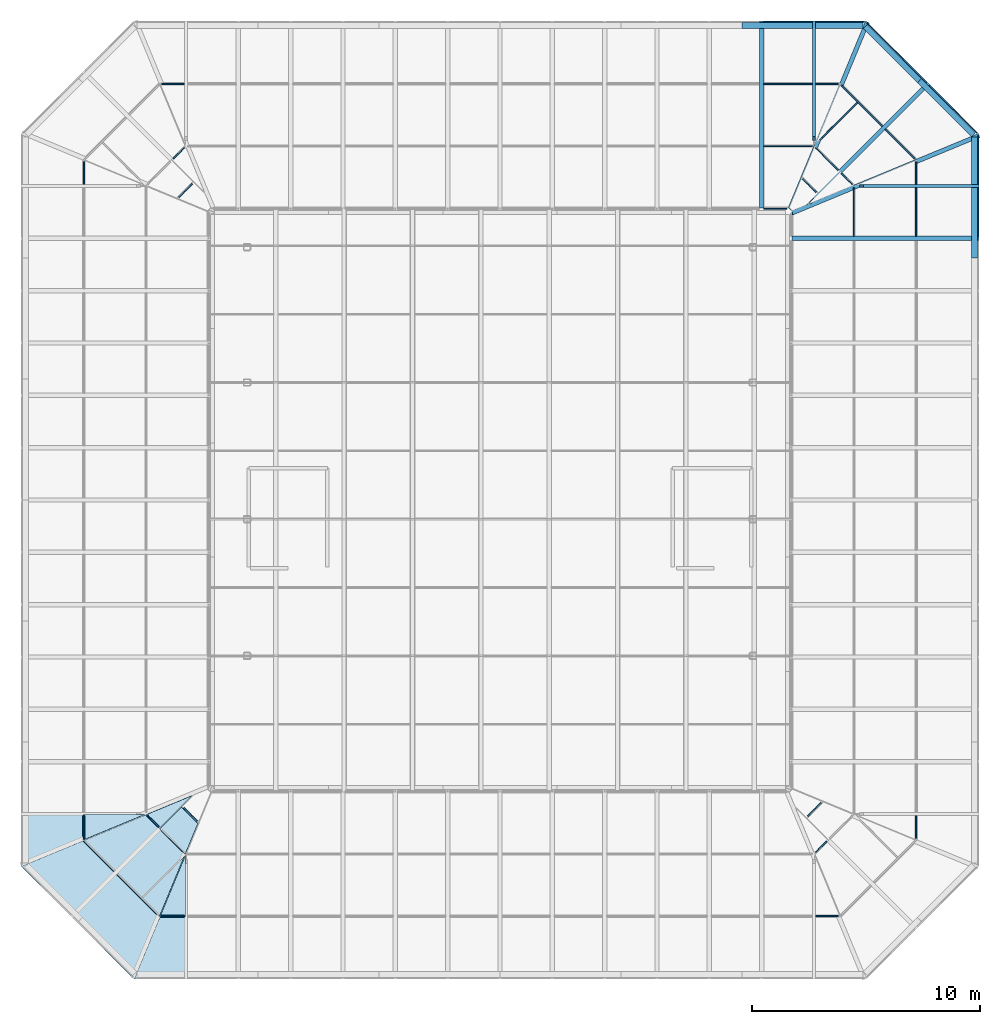
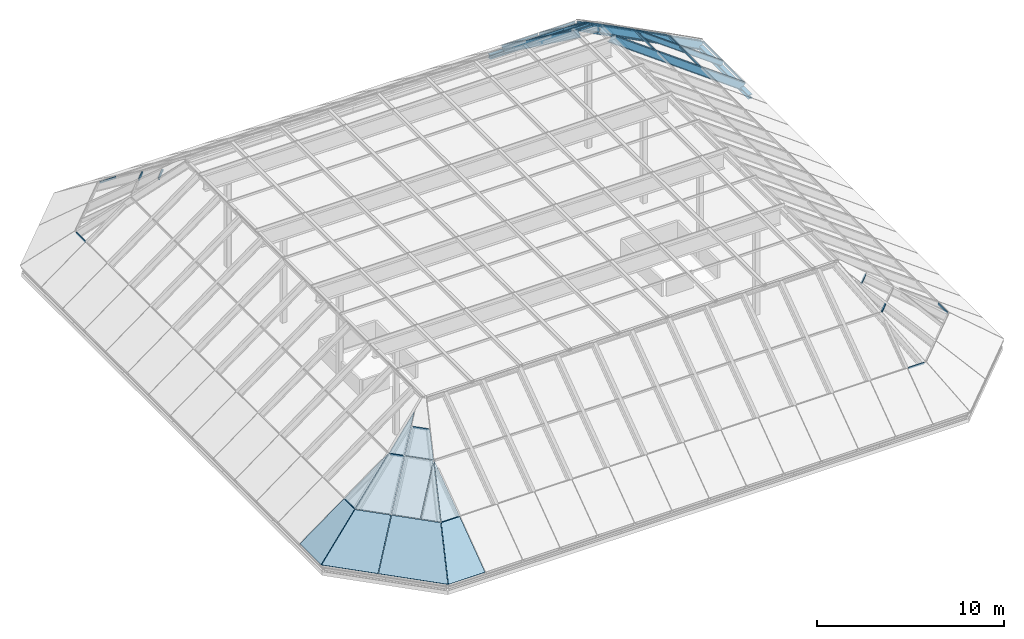
# One storey, part 10 of 15: 42 members, 11 plates, 8 elements without a shape of their own.
"""IFC4 building model written with IfcOpenShell, lengths in metres."""

from ifc_helpers import new_model, si_unit, direction, frame, origin, origin_2d, place, context, subcontext, project, spatial, polyline, rectangle, i_section, outline, extrude, material, layer, layer_set, constituent, constituent_set, material_profile, profile_set, type_object, element, aggregate, save


model = new_model("IFC4")

# Units and contexts
model_context = context("Model", 3, precision=1e-05, world=origin(), true_north=direction((0.0, 1.0)))
body_context = subcontext(model_context, "Body", "Model", "MODEL_VIEW")
ifc_project = project(units=[si_unit("LENGTHUNIT", "METRE"), si_unit("AREAUNIT", "SQUARE_METRE"), si_unit("VOLUMEUNIT", "CUBIC_METRE"), si_unit("PLANEANGLEUNIT", "RADIAN"), si_unit("MASSUNIT", "GRAM", prefix="KILO")], contexts=[model_context])

# Site, building, storey
site_placement = place(None, origin())
site = spatial("IfcSite", under=ifc_project, at=site_placement, CompositionType="ELEMENT")
building_placement = place(site_placement, origin())
building = spatial("IfcBuilding", under=site, at=building_placement, Name="Quoin Convention Tower", CompositionType="ELEMENT")
storey_placement = place(building_placement, frame((0.0, 0.0, 273.699951171875)))
storey = spatial("IfcBuildingStorey", under=building, at=storey_placement, Name="Roof", CompositionType="ELEMENT", Elevation=273.699951171875)

# Members
ifc_material_1 = material(Name="Steel Grade 300", Category="steel")
ifc_material_profile_1 = material_profile(ifc_material_1, i_section(OverallWidth=0.256103515625, OverallDepth=0.260009765625, WebThickness=0.010498046875, FlangeThickness=0.017333984375, FilletRadius=0.013916015625, at=origin_2d()), Name="250UC89.5")
ifc_profile_set_1 = profile_set([ifc_material_profile_1], Name="Steel Grade 300")
member_type_1 = type_object("IfcMemberType", Name="250UC89.5 EAVES RING", PredefinedType="CHORD", material=ifc_profile_set_1)
member_1_placement = place(storey_placement, frame((77.072021484375, 71.37255859375, 0.130126953125), z_axis=(0.0, 1.0, 0.0), x_axis=(-1.0, 0.0, 0.0)))
element("IfcMember", 1, at=member_1_placement, inside=storey, type_object=member_type_1, Name="LANTERN EAVES RING", PredefinedType="CHORD", context=body_context, shape_type="SweptSolid", body=[
    extrude(i_section(OverallWidth=0.256103515625, OverallDepth=0.260009765625, WebThickness=0.010498046875, FlangeThickness=0.017333984375, FilletRadius=0.013916015625, at=origin_2d()), origin(), (0.0, 0.0, 1.0), 5.311279296875),
])
for number, where, z_axis, x_axis, name in (
    (2, (77.034423828125, 76.7744140625, 0.130126953125), (-0.707070512791, 0.707143047722, 0.0), (-0.707143047722, -0.707070512791, 0.0), "LANTERN EAVES RING"),
    (3, (74.654541015625, 79.154541015625, 0.130126953125), (-0.707143047722, 0.707070512791, 0.0), (-0.707070512791, -0.707143047722, 0.0), "LANTERN EAVES RING"),
):
    element("IfcMember", number, at=place(storey_placement, frame(where, z_axis=z_axis, x_axis=x_axis)), inside=storey, type_object=member_type_1, Name=name, PredefinedType="CHORD", context=body_context, shape_type="SweptSolid", body=[
        extrude(i_section(OverallWidth=0.256103515625, OverallDepth=0.260009765625, WebThickness=0.010498046875, FlangeThickness=0.017333984375, FilletRadius=0.013916015625, at=origin_2d()), origin(), (0.0, 0.0, 1.0), 3.36572265625),
    ])
member_2_placement = place(storey_placement, frame((72.183837890625, 81.572021484375, 0.130126953125), z_axis=(-1.0, 0.0, 0.0), x_axis=(0.0, -1.0, 0.0)))
element("IfcMember", 4, at=member_2_placement, inside=storey, type_object=member_type_1, Name="LANTERN EAVES RING", PredefinedType="CHORD", context=body_context, shape_type="SweptSolid", body=[
    extrude(i_section(OverallWidth=0.256103515625, OverallDepth=0.260009765625, WebThickness=0.010498046875, FlangeThickness=0.017333984375, FilletRadius=0.013916015625, at=origin_2d()), origin(), (0.0, 0.0, 1.0), 5.311279296875),
])

# Curtain wall, member
ifc_material_2 = material(Name="Aluminium", Category="aluminium")
ifc_constituent_1 = constituent(ifc_material_2, Name="Frame")
ifc_material_3 = material(Name="Insulated glass", Category="glass")
ifc_constituent_2 = constituent(ifc_material_3, Name="Glazing")
ifc_constituent_set = constituent_set(constituents=[ifc_constituent_1, ifc_constituent_2], Name="Aluminium")
curtain_wall_type = type_object("IfcCurtainWallType", Name="Lantern roof system", PredefinedType="NOTDEFINED", material=ifc_constituent_set)
curtain_wall_1_placement = place(storey_placement, origin())
curtain_wall_1 = element("IfcCurtainWall", 5, at=curtain_wall_1_placement, inside=storey, type_object=curtain_wall_type, Name="crn-LNR-F77290_44673", PredefinedType="NOTDEFINED")
ifc_material_profile_2 = material_profile(ifc_material_1, i_section(OverallWidth=0.14892578125, OverallDepth=0.298095703125, WebThickness=0.005615234375, FlangeThickness=0.008056640625, FilletRadius=0.012939453125, at=origin_2d()), Name="310UB32.0")
ifc_profile_set_2 = profile_set([ifc_material_profile_2], Name="Steel Grade 300")
member_type_2 = type_object("IfcMemberType", Name="310UB32.0 LANTERN RAFTER", PredefinedType="MULLION", material=ifc_profile_set_2)
member_3_placement = place(storey_placement, frame((77.185546875, 74.530517578125, 0.332763671875), z_axis=(-0.807036644886, 0.0, 0.590501358009), x_axis=(0.0, -1.0, 0.0)))
member_3 = element("IfcMember", 6, at=member_3_placement, type_object=member_type_2, Name="CW6 steel rafter", PredefinedType="MULLION", context=body_context, shape_type="SweptSolid", body=[
    extrude(i_section(OverallWidth=0.14892578125, OverallDepth=0.298095703125, WebThickness=0.005615234375, FlangeThickness=0.008056640625, FilletRadius=0.012939453125, at=origin_2d()), origin(), (0.0, 0.0, 1.0), 6.286865234375),
])

curtain_wall_2_placement = place(storey_placement, origin())
curtain_wall_2 = element("IfcCurtainWall", 7, at=curtain_wall_2_placement, inside=storey, type_object=curtain_wall_type, Name="crn-LNR-F72327_81790", PredefinedType="NOTDEFINED")
member_4_placement = place(storey_placement, frame((70.030517578125, 81.685546875, 0.332763671875), z_axis=(0.0, -0.807036644886, 0.590501358009), x_axis=(1.0, 0.0, 0.0)))
member_4 = element("IfcMember", 8, at=member_4_placement, type_object=member_type_2, Name="CW6 steel rafter", PredefinedType="MULLION", context=body_context, shape_type="SweptSolid", body=[
    extrude(i_section(OverallWidth=0.14892578125, OverallDepth=0.298095703125, WebThickness=0.005615234375, FlangeThickness=0.008056640625, FilletRadius=0.012939453125, at=origin_2d()), origin(), (0.0, 0.0, 1.0), 6.286865234375),
])

# Members
ifc_material_profile_3 = material_profile(ifc_material_1, i_section(OverallWidth=0.18994140625, OverallDepth=0.4541015625, WebThickness=0.008544921875, FlangeThickness=0.0126953125, FilletRadius=0.011474609375, at=origin_2d()), Name="460UB67.1")
ifc_profile_set_3 = profile_set([ifc_material_profile_3], Name="Steel Grade 300")
member_type_3 = type_object("IfcMemberType", Name="460UB67.1 LANTERN HIP RAFTER", PredefinedType="RAFTER", material=ifc_profile_set_3)
for number, where, z_axis, x_axis, name in (
    (9, (77.16259765625, 76.699951171875, 0.229248046875), (-0.765391967529, -0.317054171085, 0.560046237949), (0.382702428316, -0.923871663902, 0.0), "CW6 steel hip rafter"),
    (10, (72.3271484375, 81.60986328125, 0.229248046875), (-0.317033673283, -0.765397497452, 0.560050284259), (0.923881389236, -0.382678949804, 0.0), "CW6 steel hip rafter"),
):
    element("IfcMember", number, at=place(storey_placement, frame(where, z_axis=z_axis, x_axis=x_axis)), inside=storey, type_object=member_type_3, Name=name, PredefinedType="RAFTER", context=body_context, shape_type="SweptSolid", body=[
        extrude(i_section(OverallWidth=0.18994140625, OverallDepth=0.4541015625, WebThickness=0.008544921875, FlangeThickness=0.0126953125, FilletRadius=0.011474609375, at=origin_2d()), origin(), (0.0, 0.0, 1.0), 10.71337890625),
    ])

# Member
ifc_material_profile_4 = material_profile(ifc_material_1, i_section(OverallWidth=0.18994140625, OverallDepth=0.4541015625, WebThickness=0.008544921875, FlangeThickness=0.0126953125, FilletRadius=0.011474609375, at=origin_2d()), Name="460UB67.1")
ifc_profile_set_4 = profile_set([ifc_material_profile_4], Name="Steel Grade 300")
member_type_4 = type_object("IfcMemberType", Name="460UB67.1 LANTERN RAFTER", PredefinedType="MULLION", material=ifc_profile_set_4)
member_5_placement = place(storey_placement, frame((77.139404296875, 72.233642578125, 0.26953125), z_axis=(-0.807028649932, 0.0, 0.590512284537), x_axis=(0.0, -1.0, 0.0)))
member_5 = element("IfcMember", 11, at=member_5_placement, type_object=member_type_4, Name="CW6 steel rafter", PredefinedType="MULLION", context=body_context, shape_type="SweptSolid", body=[
    extrude(i_section(OverallWidth=0.18994140625, OverallDepth=0.4541015625, WebThickness=0.008544921875, FlangeThickness=0.0126953125, FilletRadius=0.011474609375, at=origin_2d()), origin(), (0.0, 0.0, 1.0), 10.16064453125),
])

# Curtain wall, member
curtain_wall_3_placement = place(storey_placement, origin())
curtain_wall_3 = element("IfcCurtainWall", 12, at=curtain_wall_3_placement, inside=storey, type_object=curtain_wall_type, Name="crn-LNR-F77290_76827", PredefinedType="NOTDEFINED")
member_6_placement = place(storey_placement, frame((74.9560546875, 78.947998046875, 0.26953125), z_axis=(-0.570654798097, -0.570654798097, 0.590513507735), x_axis=(0.707106781187, -0.707106781187, 0.0)))
member_6 = element("IfcMember", 13, at=member_6_placement, type_object=member_type_4, Name="CW6 steel rafter", PredefinedType="MULLION", context=body_context, shape_type="SweptSolid", body=[
    extrude(i_section(OverallWidth=0.18994140625, OverallDepth=0.4541015625, WebThickness=0.008544921875, FlangeThickness=0.0126953125, FilletRadius=0.011474609375, at=origin_2d()), origin(), (0.0, 0.0, 1.0), 8.83935546875),
])

# Member
member_7_placement = place(storey_placement, frame((67.733642578125, 81.639404296875, 0.26953125), z_axis=(0.0, -0.807028649932, 0.590512284537), x_axis=(1.0, 0.0, 0.0)))
member_7 = element("IfcMember", 14, at=member_7_placement, type_object=member_type_4, Name="CW6 steel rafter", PredefinedType="MULLION", context=body_context, shape_type="SweptSolid", body=[
    extrude(i_section(OverallWidth=0.18994140625, OverallDepth=0.4541015625, WebThickness=0.008544921875, FlangeThickness=0.0126953125, FilletRadius=0.011474609375, at=origin_2d()), origin(), (0.0, 0.0, 1.0), 10.16064453125),
])

ifc_material_profile_5 = material_profile(ifc_material_2, rectangle(XDim=0.199951171875, YDim=0.06005859375, at=origin_2d()), Name="Lantern roof mullion 60x200")
ifc_profile_set_5 = profile_set([ifc_material_profile_5], Name="Aluminium")
member_type_5 = type_object("IfcMemberType", Name="Lantern roof mullion 60x200", PredefinedType="MULLION", material=ifc_profile_set_5)
member_8_placement = place(storey_placement, frame((71.942138671875, 78.20263671875, 2.3720703125), z_axis=(-0.570655053793, -0.570655053793, 0.590513013541), x_axis=(0.417555756253, 0.417555756253, 0.807028116511)))
member_8 = element("IfcMember", 15, at=member_8_placement, type_object=member_type_5, Name="CW6 jack rafter", PredefinedType="MULLION", context=body_context, shape_type="SweptSolid", body=[
    extrude(rectangle(XDim=0.199951171875, YDim=0.06005859375, at=origin_2d()), origin(), (0.0, 0.0, 1.0), 2.80322265625),
])

# Curtain wall, members
curtain_wall_4_placement = place(storey_placement, origin())
curtain_wall_4 = element("IfcCurtainWall", 16, at=curtain_wall_4_placement, inside=storey, type_object=curtain_wall_type, Name="crn-LNR-F72327_39710", PredefinedType="NOTDEFINED")
ifc_material_profile_6 = material_profile(ifc_material_2, rectangle(XDim=0.1201171875, YDim=0.050048828125, at=origin_2d()), Name="Lantern roof transom 50x120")
ifc_profile_set_6 = profile_set([ifc_material_profile_6], Name="Aluminium")
member_type_6 = type_object("IfcMemberType", Name="Lantern roof transom 50x120", PredefinedType="USERDEFINED", material=ifc_profile_set_6)
member_9_placement = place(storey_placement, frame((70.096923828125, 45.2841796875, 4.404541015625), z_axis=(0.707106781187, 0.707106781187, 0.0), x_axis=(0.0, 0.0, 1.0)))
member_9 = element("IfcMember", 17, at=member_9_placement, type_object=member_type_6, Name="CW6 transom", ObjectType="TRANSOM", PredefinedType="USERDEFINED", context=body_context, shape_type="SweptSolid", body=[
    extrude(rectangle(XDim=0.1201171875, YDim=0.050048828125, at=origin_2d()), origin(), (0.0, 0.0, 1.0), 0.6904296875),
])
member_10_placement = place(storey_placement, frame((69.753173828125, 46.873291015625, 5.404541015625), z_axis=(0.707251635588, 0.706961897105, 0.0), x_axis=(0.0, 0.0, 1.0)))
member_10 = element("IfcMember", 18, at=member_10_placement, type_object=member_type_6, Name="CW6 transom", ObjectType="TRANSOM", PredefinedType="USERDEFINED", context=body_context, shape_type="SweptSolid", body=[
    extrude(rectangle(XDim=0.1201171875, YDim=0.050048828125, at=origin_2d()), origin(), (0.0, 0.0, 1.0), 0.842529296875),
])
aggregate(curtain_wall_4, [member_9, member_10])

# Member
member_11_placement = place(storey_placement, frame((77.238037109375, 72.32861328125, 0.404541015625), z_axis=(0.0, 1.0, 0.0), x_axis=(0.0, 0.0, 1.0)))
member_11 = element("IfcMember", 19, at=member_11_placement, type_object=member_type_6, Name="CW6 transom", ObjectType="TRANSOM", PredefinedType="USERDEFINED", context=body_context, shape_type="SweptSolid", body=[
    extrude(rectangle(XDim=0.1201171875, YDim=0.050048828125, at=origin_2d()), origin(), (0.0, 0.0, 1.0), 2.12744140625),
])

member_12_placement = place(storey_placement, frame((77.238037109375, 74.60498046875, 0.404541015625), z_axis=(0.0, 1.0, 0.0), x_axis=(0.0, 0.0, 1.0)))
member_12 = element("IfcMember", 20, at=member_12_placement, type_object=member_type_6, Name="CW6 transom", ObjectType="TRANSOM", PredefinedType="USERDEFINED", context=body_context, shape_type="SweptSolid", body=[
    extrude(rectangle(XDim=0.1201171875, YDim=0.050048828125, at=origin_2d()), origin(), (0.0, 0.0, 1.0), 2.1220703125),
])

member_13_placement = place(storey_placement, frame((74.504638671875, 45.905029296875, 2.404541015625), z_axis=(0.0, 1.0, 0.0), x_axis=(0.0, 0.0, 1.0)))
member_13 = element("IfcMember", 21, at=member_13_placement, type_object=member_type_6, Name="CW6 transom", ObjectType="TRANSOM", PredefinedType="USERDEFINED", context=body_context, shape_type="SweptSolid", body=[
    extrude(rectangle(XDim=0.1201171875, YDim=0.050048828125, at=origin_2d()), origin(), (0.0, 0.0, 1.0), 0.989990234375),
])

member_14_placement = place(storey_placement, frame((74.504638671875, 72.32861328125, 2.404541015625), z_axis=(0.0, 1.0, 0.0), x_axis=(0.0, 0.0, 1.0)))
member_14 = element("IfcMember", 22, at=member_14_placement, type_object=member_type_6, Name="CW6 transom", ObjectType="TRANSOM", PredefinedType="USERDEFINED", context=body_context, shape_type="SweptSolid", body=[
    extrude(rectangle(XDim=0.1201171875, YDim=0.050048828125, at=origin_2d()), origin(), (0.0, 0.0, 1.0), 2.12744140625),
])

member_15_placement = place(storey_placement, frame((74.504638671875, 74.60498046875, 2.404541015625), z_axis=(0.0, 1.0, 0.0), x_axis=(0.0, 0.0, 1.0)))
member_15 = element("IfcMember", 23, at=member_15_placement, type_object=member_type_6, Name="CW6 transom", ObjectType="TRANSOM", PredefinedType="USERDEFINED", context=body_context, shape_type="SweptSolid", body=[
    extrude(rectangle(XDim=0.1201171875, YDim=0.050048828125, at=origin_2d()), origin(), (0.0, 0.0, 1.0), 0.989990234375),
])

member_16_placement = place(storey_placement, frame((71.771484375, 72.32861328125, 4.404541015625), z_axis=(0.0, 1.0, 0.0), x_axis=(0.0, 0.0, 1.0)))
member_16 = element("IfcMember", 24, at=member_16_placement, type_object=member_type_6, Name="CW6 transom", ObjectType="TRANSOM", PredefinedType="USERDEFINED", context=body_context, shape_type="SweptSolid", body=[
    extrude(rectangle(XDim=0.1201171875, YDim=0.050048828125, at=origin_2d()), origin(), (0.0, 0.0, 1.0), 2.134033203125),
])

aggregate(curtain_wall_1, [member_5, member_3, member_11, member_12, member_13, member_14, member_15, member_16])

member_17_placement = place(storey_placement, frame((77.182373046875, 76.861328125, 0.404541015625), z_axis=(-0.707106781187, 0.707106781187, 0.0), x_axis=(0.0, 0.0, 1.0)))
member_17 = element("IfcMember", 25, at=member_17_placement, type_object=member_type_6, Name="CW6 transom", ObjectType="TRANSOM", PredefinedType="USERDEFINED", context=body_context, shape_type="SweptSolid", body=[
    extrude(rectangle(XDim=0.1201171875, YDim=0.050048828125, at=origin_2d()), origin(), (0.0, 0.0, 1.0), 2.954833984375),
])

member_18_placement = place(storey_placement, frame((74.958740234375, 79.0849609375, 0.404541015625), z_axis=(-0.707106781187, 0.707106781187, 0.0), x_axis=(0.0, 0.0, 1.0)))
member_18 = element("IfcMember", 26, at=member_18_placement, type_object=member_type_6, Name="CW6 transom", ObjectType="TRANSOM", PredefinedType="USERDEFINED", context=body_context, shape_type="SweptSolid", body=[
    extrude(rectangle(XDim=0.1201171875, YDim=0.050048828125, at=origin_2d()), origin(), (0.0, 0.0, 1.0), 3.67333984375),
])

member_19_placement = place(storey_placement, frame((74.44921875, 75.72900390625, 2.404541015625), z_axis=(-0.707106781187, 0.707106781187, 0.0), x_axis=(0.0, 0.0, 1.0)))
member_19 = element("IfcMember", 27, at=member_19_placement, type_object=member_type_6, Name="CW6 transom", ObjectType="TRANSOM", PredefinedType="USERDEFINED", context=body_context, shape_type="SweptSolid", body=[
    extrude(rectangle(XDim=0.1201171875, YDim=0.050048828125, at=origin_2d()), origin(), (0.0, 0.0, 1.0), 1.82275390625),
])

member_20_placement = place(storey_placement, frame((73.02587890625, 77.15234375, 2.404541015625), z_axis=(-0.707106781187, 0.707106781187, 0.0), x_axis=(0.0, 0.0, 1.0)))
member_20 = element("IfcMember", 28, at=member_20_placement, type_object=member_type_6, Name="CW6 transom", ObjectType="TRANSOM", PredefinedType="USERDEFINED", context=body_context, shape_type="SweptSolid", body=[
    extrude(rectangle(XDim=0.1201171875, YDim=0.050048828125, at=origin_2d()), origin(), (0.0, 0.0, 1.0), 2.541259765625),
])

member_21_placement = place(storey_placement, frame((71.7158203125, 74.596923828125, 4.404541015625), z_axis=(-0.707106781187, 0.707106781187, 0.0), x_axis=(0.0, 0.0, 1.0)))
member_21 = element("IfcMember", 29, at=member_21_placement, type_object=member_type_6, Name="CW6 transom", ObjectType="TRANSOM", PredefinedType="USERDEFINED", context=body_context, shape_type="SweptSolid", body=[
    extrude(rectangle(XDim=0.1201171875, YDim=0.050048828125, at=origin_2d()), origin(), (0.0, 0.0, 1.0), 0.6904296875),
])

member_22_placement = place(storey_placement, frame((71.09326171875, 75.219482421875, 4.404541015625), z_axis=(-0.707106781187, 0.707106781187, 0.0), x_axis=(0.0, 0.0, 1.0)))
member_22 = element("IfcMember", 30, at=member_22_placement, type_object=member_type_6, Name="CW6 transom", ObjectType="TRANSOM", PredefinedType="USERDEFINED", context=body_context, shape_type="SweptSolid", body=[
    extrude(rectangle(XDim=0.1201171875, YDim=0.050048828125, at=origin_2d()), origin(), (0.0, 0.0, 1.0), 1.408935546875),
])

member_23_placement = place(storey_placement, frame((70.126708984375, 74.253173828125, 5.404541015625), z_axis=(-0.706961897105, 0.707251635588, 0.0), x_axis=(0.0, 0.0, 1.0)))
member_23 = element("IfcMember", 31, at=member_23_placement, type_object=member_type_6, Name="CW6 transom", ObjectType="TRANSOM", PredefinedType="USERDEFINED", context=body_context, shape_type="SweptSolid", body=[
    extrude(rectangle(XDim=0.1201171875, YDim=0.050048828125, at=origin_2d()), origin(), (0.0, 0.0, 1.0), 0.842529296875),
])

aggregate(curtain_wall_3, [member_6, member_17, member_18, member_19, member_20, member_21, member_22, member_23, member_8])

member_24_placement = place(storey_placement, frame((72.22705078125, 81.738037109375, 0.404541015625), z_axis=(-1.0, 0.0, 0.0), x_axis=(0.0, 0.0, 1.0)))
member_24 = element("IfcMember", 32, at=member_24_placement, type_object=member_type_6, Name="CW6 transom", ObjectType="TRANSOM", PredefinedType="USERDEFINED", context=body_context, shape_type="SweptSolid", body=[
    extrude(rectangle(XDim=0.1201171875, YDim=0.050048828125, at=origin_2d()), origin(), (0.0, 0.0, 1.0), 2.1220703125),
])

member_25_placement = place(storey_placement, frame((69.9560546875, 81.738037109375, 0.404541015625), z_axis=(-1.0, 0.0, 0.0), x_axis=(0.0, 0.0, 1.0)))
member_25 = element("IfcMember", 33, at=member_25_placement, type_object=member_type_6, Name="CW6 transom", ObjectType="TRANSOM", PredefinedType="USERDEFINED", context=body_context, shape_type="SweptSolid", body=[
    extrude(rectangle(XDim=0.1201171875, YDim=0.050048828125, at=origin_2d()), origin(), (0.0, 0.0, 1.0), 2.12744140625),
])

member_26_placement = place(storey_placement, frame((71.094970703125, 79.004638671875, 2.404541015625), z_axis=(-1.0, 0.0, 0.0), x_axis=(0.0, 0.0, 1.0)))
member_26 = element("IfcMember", 34, at=member_26_placement, type_object=member_type_6, Name="CW6 transom", ObjectType="TRANSOM", PredefinedType="USERDEFINED", context=body_context, shape_type="SweptSolid", body=[
    extrude(rectangle(XDim=0.1201171875, YDim=0.050048828125, at=origin_2d()), origin(), (0.0, 0.0, 1.0), 0.989990234375),
])

member_27_placement = place(storey_placement, frame((69.9560546875, 79.004638671875, 2.404541015625), z_axis=(-1.0, 0.0, 0.0), x_axis=(0.0, 0.0, 1.0)))
member_27 = element("IfcMember", 35, at=member_27_placement, type_object=member_type_6, Name="CW6 transom", ObjectType="TRANSOM", PredefinedType="USERDEFINED", context=body_context, shape_type="SweptSolid", body=[
    extrude(rectangle(XDim=0.1201171875, YDim=0.050048828125, at=origin_2d()), origin(), (0.0, 0.0, 1.0), 2.12744140625),
])

member_28_placement = place(storey_placement, frame((42.39501953125, 79.004638671875, 2.404541015625), z_axis=(-1.0, 0.0, 0.0), x_axis=(0.0, 0.0, 1.0)))
member_28 = element("IfcMember", 36, at=member_28_placement, type_object=member_type_6, Name="CW6 transom", ObjectType="TRANSOM", PredefinedType="USERDEFINED", context=body_context, shape_type="SweptSolid", body=[
    extrude(rectangle(XDim=0.1201171875, YDim=0.050048828125, at=origin_2d()), origin(), (0.0, 0.0, 1.0), 0.989990234375),
])

member_29_placement = place(storey_placement, frame((69.962646484375, 76.271484375, 4.404541015625), z_axis=(-1.0, 0.0, 0.0), x_axis=(0.0, 0.0, 1.0)))
member_29 = element("IfcMember", 37, at=member_29_placement, type_object=member_type_6, Name="CW6 transom", ObjectType="TRANSOM", PredefinedType="USERDEFINED", context=body_context, shape_type="SweptSolid", body=[
    extrude(rectangle(XDim=0.1201171875, YDim=0.050048828125, at=origin_2d()), origin(), (0.0, 0.0, 1.0), 2.134033203125),
])

member_30_placement = place(storey_placement, frame((68.83056640625, 73.5380859375, 6.404541015625), z_axis=(-1.0, 0.0, 0.0), x_axis=(0.0, 0.0, 1.0)))
member_30 = element("IfcMember", 38, at=member_30_placement, type_object=member_type_6, Name="CW6 transom", ObjectType="TRANSOM", PredefinedType="USERDEFINED", context=body_context, shape_type="SweptSolid", body=[
    extrude(rectangle(XDim=0.1201171875, YDim=0.050048828125, at=origin_2d()), origin(), (0.0, 0.0, 1.0), 1.001953125),
])

aggregate(curtain_wall_2, [member_4, member_7, member_24, member_25, member_26, member_27, member_28, member_29, member_30])

# Curtain wall, members
curtain_wall_5_placement = place(storey_placement, origin())
curtain_wall_5 = element("IfcCurtainWall", 39, at=curtain_wall_5_placement, inside=storey, type_object=curtain_wall_type, Name="crn-LNR-F40173_81790", PredefinedType="NOTDEFINED")
member_31_placement = place(storey_placement, frame((42.403076171875, 76.2158203125, 4.404541015625), z_axis=(-0.707106781187, -0.707106781187, 0.0), x_axis=(0.0, 0.0, 1.0)))
member_31 = element("IfcMember", 40, at=member_31_placement, type_object=member_type_6, Name="CW6 transom", ObjectType="TRANSOM", PredefinedType="USERDEFINED", context=body_context, shape_type="SweptSolid", body=[
    extrude(rectangle(XDim=0.1201171875, YDim=0.050048828125, at=origin_2d()), origin(), (0.0, 0.0, 1.0), 0.6904296875),
])
member_32_placement = place(storey_placement, frame((42.746826171875, 74.626708984375, 5.404541015625), z_axis=(-0.707251635588, -0.706961897105, 0.0), x_axis=(0.0, 0.0, 1.0)))
member_32 = element("IfcMember", 41, at=member_32_placement, type_object=member_type_6, Name="CW6 transom", ObjectType="TRANSOM", PredefinedType="USERDEFINED", context=body_context, shape_type="SweptSolid", body=[
    extrude(rectangle(XDim=0.1201171875, YDim=0.050048828125, at=origin_2d()), origin(), (0.0, 0.0, 1.0), 0.842529296875),
])
aggregate(curtain_wall_5, [member_31, member_32])

curtain_wall_6_placement = place(storey_placement, origin())
curtain_wall_6 = element("IfcCurtainWall", 42, at=curtain_wall_6_placement, inside=storey, type_object=curtain_wall_type, Name="crn-LNR-F35210_76827", PredefinedType="NOTDEFINED")
member_33_placement = place(storey_placement, frame((37.995361328125, 75.594970703125, 2.404541015625), z_axis=(0.0, -1.0, 0.0), x_axis=(0.0, 0.0, 1.0)))
member_33 = element("IfcMember", 43, at=member_33_placement, type_object=member_type_6, Name="CW6 transom", ObjectType="TRANSOM", PredefinedType="USERDEFINED", context=body_context, shape_type="SweptSolid", body=[
    extrude(rectangle(XDim=0.1201171875, YDim=0.050048828125, at=origin_2d()), origin(), (0.0, 0.0, 1.0), 0.989990234375),
])
member_34_placement = place(storey_placement, frame((37.995361328125, 46.89501953125, 2.404541015625), z_axis=(0.0, -1.0, 0.0), x_axis=(0.0, 0.0, 1.0)))
member_34 = element("IfcMember", 44, at=member_34_placement, type_object=member_type_6, Name="CW6 transom", ObjectType="TRANSOM", PredefinedType="USERDEFINED", context=body_context, shape_type="SweptSolid", body=[
    extrude(rectangle(XDim=0.1201171875, YDim=0.050048828125, at=origin_2d()), origin(), (0.0, 0.0, 1.0), 0.989990234375),
])

curtain_wall_7_placement = place(storey_placement, origin())
curtain_wall_7 = element("IfcCurtainWall", 45, at=curtain_wall_7_placement, inside=storey, type_object=curtain_wall_type, Name="crn-LNR-F35210_44673", PredefinedType="NOTDEFINED")
member_35_placement = place(storey_placement, frame((40.7841796875, 46.903076171875, 4.404541015625), z_axis=(0.707106781187, -0.707106781187, 0.0), x_axis=(0.0, 0.0, 1.0)))
member_35 = element("IfcMember", 46, at=member_35_placement, type_object=member_type_6, Name="CW6 transom", ObjectType="TRANSOM", PredefinedType="USERDEFINED", context=body_context, shape_type="SweptSolid", body=[
    extrude(rectangle(XDim=0.1201171875, YDim=0.050048828125, at=origin_2d()), origin(), (0.0, 0.0, 1.0), 0.6904296875),
])
member_36_placement = place(storey_placement, frame((42.373291015625, 47.246826171875, 5.404541015625), z_axis=(0.706961897105, -0.707251635588, 0.0), x_axis=(0.0, 0.0, 1.0)))
member_36 = element("IfcMember", 47, at=member_36_placement, type_object=member_type_6, Name="CW6 transom", ObjectType="TRANSOM", PredefinedType="USERDEFINED", context=body_context, shape_type="SweptSolid", body=[
    extrude(rectangle(XDim=0.1201171875, YDim=0.050048828125, at=origin_2d()), origin(), (0.0, 0.0, 1.0), 0.842529296875),
])

curtain_wall_8_placement = place(storey_placement, origin())
curtain_wall_8 = element("IfcCurtainWall", 48, at=curtain_wall_8_placement, inside=storey, type_object=curtain_wall_type, Name="crn-LNR-F40173_39710", PredefinedType="NOTDEFINED")
member_37_placement = place(storey_placement, frame((41.405029296875, 42.495361328125, 2.404541015625), z_axis=(1.0, 0.0, 0.0), x_axis=(0.0, 0.0, 1.0)))
member_37 = element("IfcMember", 49, at=member_37_placement, type_object=member_type_6, Name="CW6 transom", ObjectType="TRANSOM", PredefinedType="USERDEFINED", context=body_context, shape_type="SweptSolid", body=[
    extrude(rectangle(XDim=0.1201171875, YDim=0.050048828125, at=origin_2d()), origin(), (0.0, 0.0, 1.0), 0.989990234375),
])
member_38_placement = place(storey_placement, frame((70.10498046875, 42.495361328125, 2.404541015625), z_axis=(1.0, 0.0, 0.0), x_axis=(0.0, 0.0, 1.0)))
member_38 = element("IfcMember", 50, at=member_38_placement, type_object=member_type_6, Name="CW6 transom", ObjectType="TRANSOM", PredefinedType="USERDEFINED", context=body_context, shape_type="SweptSolid", body=[
    extrude(rectangle(XDim=0.1201171875, YDim=0.050048828125, at=origin_2d()), origin(), (0.0, 0.0, 1.0), 0.989990234375),
])

# Plate
ifc_layer = layer(ifc_material_3, 0.028076171875)
ifc_layer_set = layer_set([ifc_layer], Name="Insulated glass")
plate_type = type_object("IfcPlateType", Name="Lantern roof glazing unit 28", PredefinedType="CURTAIN_PANEL", material=ifc_layer_set)
plate_1_placement = place(storey_placement, frame((37.93115234375, 46.95458984375, 2.466552734375), z_axis=(-0.590508839017, 0.0, 0.807031171048), x_axis=(0.0, -1.0, 0.0)))
plate_1 = element("IfcPlate", 51, at=plate_1_placement, type_object=plate_type, Name="CW6 glazing unit", PredefinedType="CURTAIN_PANEL", context=body_context, shape_type="SweptSolid", body=[
    extrude(outline(polyline([(0.0, 0.0), (1.138671875, 0.0), (2.260986328125, -3.3567283051575907), (0.0, -3.3567283051575907), (0.0, 0.0)])), origin(), (0.0, 0.0, -1.0), 0.028076171875),
])

plate_2_placement = place(storey_placement, frame((37.955322265625, 46.95458984375, 2.484375), z_axis=(-0.590474179548, 0.0, 0.807056530416), x_axis=(0.807056530416, 0.0, 0.590474179548)))
plate_2 = element("IfcPlate", 52, at=plate_2_placement, type_object=plate_type, Name="CW6 glazing unit", PredefinedType="CURTAIN_PANEL", context=body_context, shape_type="SweptSolid", body=[
    extrude(outline(polyline([(0.0, 0.0), (3.356925337347801, 0.0), (3.356925337347801, -0.006591796875), (0.0, -1.12890625), (0.0, 0.0)])), origin(), (0.0, 0.0, -1.0), 0.028076171875),
])

aggregate(curtain_wall_6, [member_33, member_34, plate_1, plate_2])

plate_3_placement = place(storey_placement, frame((39.35107421875, 44.380126953125, 2.466552734375), z_axis=(-0.417537444623, -0.417537444623, 0.807047064721), x_axis=(-0.570704815969, -0.570632086924, -0.590487116204)))
plate_3 = element("IfcPlate", 53, at=plate_3_placement, type_object=plate_type, Name="CW6 glazing unit", PredefinedType="CURTAIN_PANEL", context=body_context, shape_type="SweptSolid", body=[
    extrude(outline(polyline([(0.0, 0.0), (3.356851792327199, -5.2753211954997825e-17), (3.357011934723851, -3.1139629155703807), (0.00010245278065001973, -1.9921904892827473), (0.0, 0.0)])), origin(), (0.0, 0.0, -1.0), 0.028076171875),
])

plate_4_placement = place(storey_placement, frame((39.372314453125, 44.35888671875, 2.466552734375), z_axis=(-0.417537444623, -0.417537444623, 0.807047064721), x_axis=(0.707106781187, -0.707106781187, 0.0)))
plate_4 = element("IfcPlate", 54, at=plate_4_placement, type_object=plate_type, Name="CW6 glazing unit", PredefinedType="CURTAIN_PANEL", context=body_context, shape_type="SweptSolid", body=[
    extrude(outline(polyline([(0.0, 0.0), (2.710345816559765, 0.0), (3.832290877822307, -3.356851787888171), (-0.0001726334915006511, -3.356851787888171), (0.0, 0.0)])), origin(), (0.0, 0.0, -1.0), 0.028076171875),
])

plate_5_placement = place(storey_placement, frame((41.28369140625, 46.31298828125, 4.466552734375), z_axis=(-0.417537444623, -0.417537444623, 0.807047064721), x_axis=(-0.570632086924, -0.570704815969, -0.590487116204)))
plate_5 = element("IfcPlate", 55, at=plate_5_placement, type_object=plate_type, Name="CW6 glazing unit", PredefinedType="CURTAIN_PANEL", context=body_context, shape_type="SweptSolid", body=[
    extrude(outline(polyline([(0.0, 0.0), (3.356851792327199, -1.6929139297003348e-16), (3.356749854473869, -1.9821777467889525), (-4.42127250985247e-05, -0.8597147865362291), (0.0, 0.0)])), origin(), (0.0, 0.0, -1.0), 0.028076171875),
])

plate_6_placement = place(storey_placement, frame((40.502197265625, 43.26318359375, 2.484375), z_axis=(-0.417569006893, -0.417523210774, 0.80703809882), x_axis=(-0.707042741667, 0.707170814424, 2.6136976e-05)))
plate_6 = element("IfcPlate", 56, at=plate_6_placement, type_object=plate_type, Name="CW6 glazing unit", PredefinedType="CURTAIN_PANEL", context=body_context, shape_type="SweptSolid", body=[
    extrude(outline(polyline([(0.0, 0.0), (1.5738995506534303, -1.1102230246251565e-16), (1.5741966856522538, -3.3567124525452634), (0.00012451714197131268, -3.356851789630812), (0.0, 0.0)])), origin(), (0.0, 0.0, -1.0), 0.028076171875),
])

plate_7_placement = place(storey_placement, frame((41.298828125, 42.466552734375, 2.484375), z_axis=(-0.417563792954, -0.417563792954, 0.807019800022), x_axis=(-0.707106781187, 0.707106781187, 0.0)))
plate_7 = element("IfcPlate", 57, at=plate_7_placement, type_object=plate_type, Name="CW6 glazing unit", PredefinedType="CURTAIN_PANEL", context=body_context, shape_type="SweptSolid", body=[
    extrude(outline(polyline([(0.0, 0.0), (1.0965679380119506, 0.0), (1.0965679380119506, -3.279741948853893), (0.0, 0.0)])), origin(), (0.0, 0.0, -1.0), 0.028076171875),
])

plate_8_placement = place(storey_placement, frame((41.30078125, 46.330078125, 4.484375), z_axis=(-0.417542917757, -0.417542917757, 0.807041401455), x_axis=(-0.707106781187, 0.707106781187, 0.0)))
plate_8 = element("IfcPlate", 58, at=plate_8_placement, type_object=plate_type, Name="CW6 glazing unit", PredefinedType="CURTAIN_PANEL", context=body_context, shape_type="SweptSolid", body=[
    extrude(outline(polyline([(0.0, 0.0), (0.8497020451660613, 0.0), (-0.0001726334915006511, -2.542309530573094), (0.0, 0.0)])), origin(), (0.0, 0.0, -1.0), 0.028076171875),
])

plate_9_placement = place(storey_placement, frame((42.430908203125, 45.199951171875, 4.484375), z_axis=(-0.417486512565, -0.417542378551, 0.807070860544), x_axis=(-0.707123273799, 0.707090287471, 3.1881896e-05)))
plate_9 = element("IfcPlate", 59, at=plate_9_placement, type_object=plate_type, Name="CW6 glazing unit", PredefinedType="CURTAIN_PANEL", context=body_context, shape_type="SweptSolid", body=[
    extrude(outline(polyline([(0.0, 0.0), (1.5682026355680565, 0.0), (1.5682026380152434, -1.6633416873172657), (0.5560524741101777, -1.6634810147779184), (0.0, 0.0)])), origin(), (0.0, 0.0, -1.0), 0.028076171875),
])

aggregate(curtain_wall_7, [member_35, member_36, plate_3, plate_4, plate_5, plate_6, plate_7, plate_8, plate_9])

plate_10_placement = place(storey_placement, frame((42.45458984375, 42.43115234375, 2.466552734375), z_axis=(0.0, -0.590508839017, 0.807031171048), x_axis=(0.0, -0.807031171048, -0.590508839017)))
plate_10 = element("IfcPlate", 60, at=plate_10_placement, type_object=plate_type, Name="CW6 glazing unit", PredefinedType="CURTAIN_PANEL", context=body_context, shape_type="SweptSolid", body=[
    extrude(outline(polyline([(0.0, 0.0), (3.3567283051575907, 0.0), (3.3567283051575907, -2.260986328125), (0.0, -1.138671875), (0.0, 0.0)])), origin(), (0.0, 0.0, -1.0), 0.028076171875),
])

plate_11_placement = place(storey_placement, frame((42.45458984375, 45.16455078125, 4.466552734375), z_axis=(0.0, -0.590474179548, 0.807056530416), x_axis=(0.0, -0.807056530416, -0.590474179548)))
plate_11 = element("IfcPlate", 61, at=plate_11_placement, type_object=plate_type, Name="CW6 glazing unit", PredefinedType="CURTAIN_PANEL", context=body_context, shape_type="SweptSolid", body=[
    extrude(outline(polyline([(0.0, 0.0), (3.356925337347801, 0.0), (3.356925337347801, -1.12890625), (0.0, -0.006591796875), (0.0, 0.0)])), origin(), (0.0, 0.0, -1.0), 0.028076171875),
])

aggregate(curtain_wall_8, [member_37, member_38, plate_10, plate_11])

save(model, "model.ifc")
